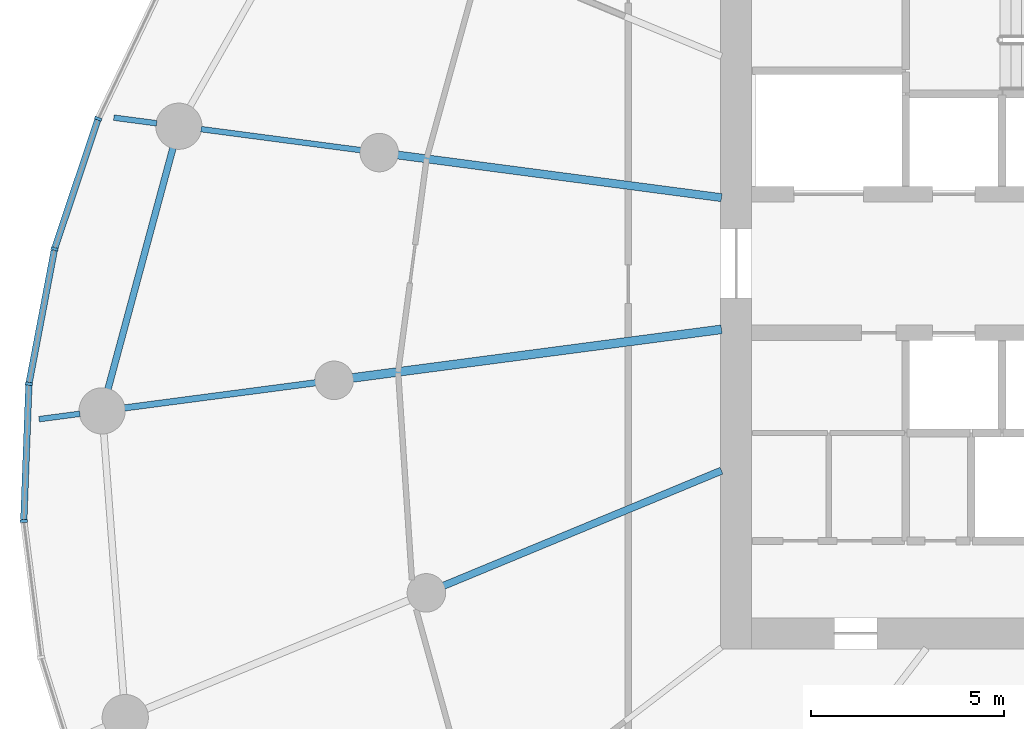
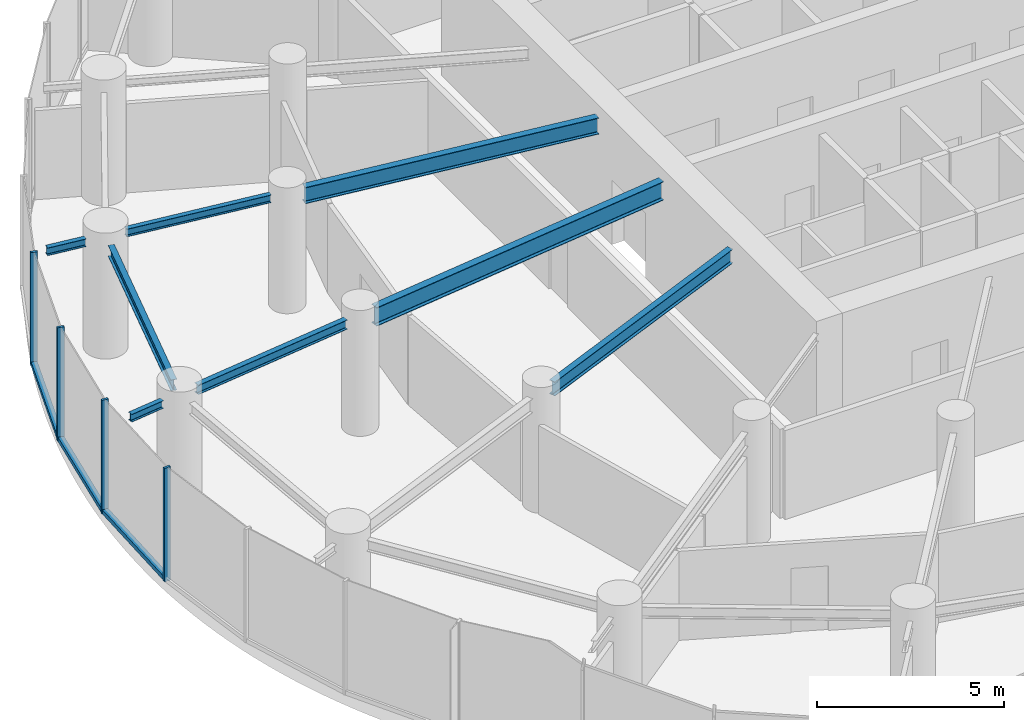
# One storey, part 3 of 17: 8 beams, 7 members, 1 element without a shape of its own.
"""IFC4 building model written with IfcOpenShell, lengths in metres."""

from ifc_helpers import new_model, si_unit, direction, frame, origin, origin_2d, place, context, subcontext, project, spatial, rectangle, i_section, extrude, source, transform, mapped, material, layer, layer_set, material_profile, profile_set, type_object, element, aggregate, save


model = new_model("IFC4")

# Units and contexts
model_context = context("Model", 3, precision=1e-05, world=origin(), true_north=direction((0.0, 1.0)))
body_context = subcontext(model_context, "Body", "Model", "MODEL_VIEW")
ifc_project = project(units=[si_unit("LENGTHUNIT", "METRE"), si_unit("AREAUNIT", "SQUARE_METRE"), si_unit("VOLUMEUNIT", "CUBIC_METRE"), si_unit("PLANEANGLEUNIT", "RADIAN"), si_unit("MASSUNIT", "GRAM", prefix="KILO")], contexts=[model_context])

# Site, building, storey
site_placement = place(None, origin())
site = spatial("IfcSite", under=ifc_project, at=site_placement, CompositionType="ELEMENT")
building_placement = place(site_placement, origin())
building = spatial("IfcBuilding", under=site, at=building_placement, Name="Spindrift Exchange Tower", CompositionType="ELEMENT")
storey_placement = place(building_placement, frame((0.0, 0.0, 112.60009765625)))
storey = spatial("IfcBuildingStorey", under=building, at=storey_placement, Name="L26", CompositionType="ELEMENT", Elevation=112.60009765625)

# Beams
ifc_material_1 = material(Name="Steel Grade 300", Category="steel")
ifc_material_profile_1 = material_profile(ifc_material_1, i_section(OverallWidth=0.22802734375, OverallDepth=0.60693359375, WebThickness=0.01123046875, FlangeThickness=0.017333984375, FilletRadius=0.013916015625, at=origin_2d()), Name="610UB113")
ifc_profile_set_1 = profile_set([ifc_material_profile_1], Name="Steel Grade 300")
beam_type_1 = type_object("IfcBeamType", Name="Floor Beam 610UB113 Steel Grade 300", PredefinedType="BEAM", material=ifc_profile_set_1)
shared_shape_1 = source(origin(), body_context, "Body", "SweptSolid", [
    extrude(i_section(OverallWidth=0.22802734375, OverallDepth=0.60693359375, WebThickness=0.01123046875, FlangeThickness=0.017333984375, FilletRadius=0.013916015625, at=origin_2d()), origin(), (0.0, 0.0, 1.0), 9.660400390625),
])
beam_1_placement = place(storey_placement, frame((39.019775390625, 46.291015625, 3.396484375), z_axis=(-0.99144767089, -0.130504850054, 0.0), x_axis=(0.130504850054, -0.99144767089, 0.0)))
element("IfcBeam", 1, at=beam_1_placement, inside=storey, type_object=beam_type_1, Name="L26 radial beam R13A", PredefinedType="BEAM", context=body_context, shape_type="MappedRepresentation", body=[
    mapped(shared_shape_1, transform((0.0, 0.0, 0.0), scale=1.0)),
])
ifc_material_profile_2 = material_profile(ifc_material_1, i_section(OverallWidth=0.18994140625, OverallDepth=0.45703125, WebThickness=0.009033203125, FlangeThickness=0.014404296875, FilletRadius=0.013916015625, at=origin_2d()), Name="460UB74.6")
ifc_profile_set_2 = profile_set([ifc_material_profile_2], Name="Steel Grade 300")
beam_type_2 = type_object("IfcBeamType", Name="Floor Beam 460UB74.6 Steel Grade 300", PredefinedType="BEAM", material=ifc_profile_set_2)
shared_shape_2 = source(origin(), body_context, "Body", "SweptSolid", [
    extrude(i_section(OverallWidth=0.18994140625, OverallDepth=0.45703125, WebThickness=0.009033203125, FlangeThickness=0.014404296875, FilletRadius=0.013916015625, at=origin_2d()), origin(), (0.0, 0.0, 1.0), 7.808837890625),
])
beam_2_placement = place(storey_placement, frame((39.0185546875, 42.622802734375, 3.471435546875), z_axis=(-0.92387965154, -0.382683145003, 0.0), x_axis=(0.382683145003, -0.92387965154, 0.0)))
element("IfcBeam", 2, at=beam_2_placement, inside=storey, type_object=beam_type_2, Name="L26 radial beam R14A", PredefinedType="BEAM", context=body_context, shape_type="MappedRepresentation", body=[
    mapped(shared_shape_2, transform((0.0, 0.0, 0.0), scale=1.0)),
])
ifc_material_profile_3 = material_profile(ifc_material_1, i_section(OverallWidth=0.208984375, OverallDepth=0.532958984375, WebThickness=0.01025390625, FlangeThickness=0.015625, FilletRadius=0.013916015625, at=origin_2d()), Name="530UB92.4")
ifc_profile_set_3 = profile_set([ifc_material_profile_3], Name="Steel Grade 300")
beam_type_3 = type_object("IfcBeamType", Name="Floor Beam 530UB92.4 Steel Grade 300", PredefinedType="BEAM", material=ifc_profile_set_3)
shared_shape_3 = source(origin(), body_context, "Body", "SweptSolid", [
    extrude(i_section(OverallWidth=0.208984375, OverallDepth=0.532958984375, WebThickness=0.01025390625, FlangeThickness=0.015625, FilletRadius=0.013916015625, at=origin_2d()), origin(), (0.0, 0.0, 1.0), 8.4794921875),
])
beam_3_placement = place(storey_placement, frame((39.019775390625, 49.708984375, 3.433349609375), z_axis=(-0.991446551951, 0.13051335037, 0.0), x_axis=(-0.13051335037, -0.991446551951, 0.0)))
element("IfcBeam", 3, at=beam_3_placement, inside=storey, type_object=beam_type_3, Name="L26 radial beam R12A", PredefinedType="BEAM", context=body_context, shape_type="MappedRepresentation", body=[
    mapped(shared_shape_3, transform((0.0, 0.0, 0.0), scale=1.0)),
])
ifc_material_profile_4 = material_profile(ifc_material_1, i_section(OverallWidth=0.1650390625, OverallDepth=0.303955078125, WebThickness=0.006103515625, FlangeThickness=0.01025390625, FilletRadius=0.011474609375, at=origin_2d()), Name="310UB40.4")
ifc_profile_set_4 = profile_set([ifc_material_profile_4], Name="Steel Grade 300")
beam_type_4 = type_object("IfcBeamType", Name="Floor Beam 310UB40.4 Steel Grade 300", PredefinedType="BEAM", material=ifc_profile_set_4)
shared_shape_4 = source(origin(), body_context, "Body", "SweptSolid", [
    extrude(i_section(OverallWidth=0.1650390625, OverallDepth=0.303955078125, WebThickness=0.006103515625, FlangeThickness=0.01025390625, FilletRadius=0.011474609375, at=origin_2d()), origin(), (0.0, 0.0, 1.0), 5.014404296875),
])
beam_4_placement = place(storey_placement, frame((28.490234375, 44.90478515625, 3.5478515625), z_axis=(-0.99145015202, -0.13048599948, 0.0), x_axis=(0.13048599948, -0.99145015202, 0.0)))
element("IfcBeam", 4, at=beam_4_placement, inside=storey, type_object=beam_type_4, Name="L26 radial beam R13B", PredefinedType="BEAM", context=body_context, shape_type="MappedRepresentation", body=[
    mapped(shared_shape_4, transform((0.0, 0.0, 0.0), scale=1.0)),
])
ifc_material_profile_5 = material_profile(ifc_material_1, i_section(OverallWidth=0.14599609375, OverallDepth=0.251953125, WebThickness=0.006103515625, FlangeThickness=0.008544921875, FilletRadius=0.011962890625, at=origin_2d()), Name="250UB31.4")
ifc_profile_set_5 = profile_set([ifc_material_profile_5], Name="Steel Grade 300")
beam_type_5 = type_object("IfcBeamType", Name="Floor Beam 250UB31.4 Steel Grade 300", PredefinedType="BEAM", material=ifc_profile_set_5)
shared_shape_5 = source(origin(), body_context, "Body", "SweptSolid", [
    extrude(i_section(OverallWidth=0.14599609375, OverallDepth=0.251953125, WebThickness=0.006103515625, FlangeThickness=0.008544921875, FilletRadius=0.011962890625, at=origin_2d()), origin(), (0.0, 0.0, 1.0), 4.186279296875),
])
beam_5_placement = place(storey_placement, frame((29.660888671875, 50.94091796875, 3.573974609375), z_axis=(-0.991445559167, 0.130520891848, 0.0), x_axis=(-0.130520891848, -0.991445559167, 0.0)))
element("IfcBeam", 5, at=beam_5_placement, inside=storey, type_object=beam_type_5, Name="L26 radial beam R12B", PredefinedType="BEAM", context=body_context, shape_type="MappedRepresentation", body=[
    mapped(shared_shape_5, transform((0.0, 0.0, 0.0), scale=1.0)),
])
ifc_material_profile_6 = material_profile(ifc_material_1, i_section(OverallWidth=0.172119140625, OverallDepth=0.35888671875, WebThickness=0.008056640625, FlangeThickness=0.012939453125, FilletRadius=0.013916015625, at=origin_2d()), Name="360UB56.7")
ifc_profile_set_6 = profile_set([ifc_material_profile_6], Name="Steel Grade 300")
beam_type_6 = type_object("IfcBeamType", Name="Edge Beam 360UB56.7 Steel Grade 300", PredefinedType="SPANDREL", material=ifc_profile_set_6)
shared_shape_6 = source(origin(), body_context, "Body", "SweptSolid", [
    extrude(i_section(OverallWidth=0.172119140625, OverallDepth=0.35888671875, WebThickness=0.008056640625, FlangeThickness=0.012939453125, FilletRadius=0.013916015625, at=origin_2d()), origin(), (0.0, 0.0, 1.0), 6.4921875),
])
beam_6_placement = place(storey_placement, frame((24.784423828125, 51.003173828125, 3.5205078125), z_axis=(-0.260262058381, -0.965538016324, 0.0), x_axis=(0.965538016324, -0.260262058381, 0.0)))
element("IfcBeam", 6, at=beam_6_placement, inside=storey, type_object=beam_type_6, Name="L26 edge beam E12", PredefinedType="SPANDREL", context=body_context, shape_type="MappedRepresentation", body=[
    mapped(shared_shape_6, transform((0.0, 0.0, 0.0), scale=1.0)),
])
ifc_material_profile_7 = material_profile(ifc_material_1, i_section(OverallWidth=0.14599609375, OverallDepth=0.251953125, WebThickness=0.006103515625, FlangeThickness=0.008544921875, FilletRadius=0.011962890625, at=origin_2d()), Name="250UB31.4")
ifc_profile_set_7 = profile_set([ifc_material_profile_7], Name="Steel Grade 300")
beam_type_7 = type_object("IfcBeamType", Name="Cantilever Beam 250UB31.4 Steel Grade 300", PredefinedType="BEAM", material=ifc_profile_set_7)
shared_shape_7 = source(origin(), body_context, "Body", "SweptSolid", [
    extrude(i_section(OverallWidth=0.14599609375, OverallDepth=0.251953125, WebThickness=0.006103515625, FlangeThickness=0.008544921875, FilletRadius=0.011962890625, at=origin_2d()), origin(), (0.0, 0.0, 1.0), 1.071533203125),
])
beam_7_placement = place(storey_placement, frame((22.36865234375, 44.09912109375, 3.573974609375), z_axis=(-0.991410032, -0.130790475378, 0.0), x_axis=(0.130790475378, -0.991410032, 0.0)))
element("IfcBeam", 7, at=beam_7_placement, inside=storey, type_object=beam_type_7, Name="L26 cantilever beam R13T", PredefinedType="BEAM", context=body_context, shape_type="MappedRepresentation", body=[
    mapped(shared_shape_7, transform((0.0, 0.0, 0.0), scale=1.0)),
])
shared_shape_8 = source(origin(), body_context, "Body", "SweptSolid", [
    extrude(i_section(OverallWidth=0.14599609375, OverallDepth=0.251953125, WebThickness=0.006103515625, FlangeThickness=0.008544921875, FilletRadius=0.011962890625, at=origin_2d()), origin(), (0.0, 0.0, 1.0), 1.121337890625),
])
beam_8_placement = place(storey_placement, frame((24.360595703125, 51.638916015625, 3.573974609375), z_axis=(-0.991460222686, 0.130409458364, 0.0), x_axis=(-0.130409458364, -0.991460222686, 0.0)))
element("IfcBeam", 8, at=beam_8_placement, inside=storey, type_object=beam_type_7, Name="L26 cantilever beam R12T", PredefinedType="BEAM", context=body_context, shape_type="MappedRepresentation", body=[
    mapped(shared_shape_8, transform((0.0, 0.0, 0.0), scale=1.0)),
])

# Curtain wall, members
ifc_material_2 = material(Name="Fritted laminated glass with bronze frame", Category="glass")
ifc_layer = layer(ifc_material_2, 0.18994140625)
ifc_layer_set = layer_set([ifc_layer], Name="ZONE 2 BRONZE FRITTED WALL")
curtain_wall_type = type_object("IfcCurtainWallType", Name="ZONE 2 BRONZE FRITTED WALL", PredefinedType="NOTDEFINED", material=ifc_layer_set)
curtain_wall_placement = place(storey_placement, origin())
curtain_wall = element("IfcCurtainWall", 9, at=curtain_wall_placement, inside=storey, type_object=curtain_wall_type, Name="L26 Zone 2 Bronze Fritted Wall run 4", PredefinedType="NOTDEFINED")
ifc_material_3 = material(Name="Bronze anodised aluminium", Category="aluminium")
ifc_material_profile_8 = material_profile(ifc_material_3, rectangle(XDim=0.074951171875, YDim=0.18994140625, at=origin_2d()), Name="ZONE 2 BRONZE FRITTED WALL MULLION 75X190")
ifc_profile_set_8 = profile_set([ifc_material_profile_8], Name="Bronze anodised aluminium")
member_type_1 = type_object("IfcMemberType", Name="ZONE 2 BRONZE FRITTED WALL MULLION 75X190", PredefinedType="MULLION", material=ifc_profile_set_8)
shared_shape_9 = source(origin(), body_context, "Body", "SweptSolid", [
    extrude(rectangle(XDim=0.074951171875, YDim=0.18994140625, at=origin_2d()), origin(), (0.0, 0.0, 1.0), 3.699951171875),
])
member_1_placement = place(storey_placement, frame((22.84130859375, 51.75830078125, 0.0), z_axis=(0.0, 0.0, 1.0), x_axis=(-0.37527004174, -0.926915527852, 0.0)))
member_1 = element("IfcMember", 10, at=member_1_placement, type_object=member_type_1, Name="L26 mullion CW-2.21", PredefinedType="MULLION", context=body_context, shape_type="MappedRepresentation", body=[
    mapped(shared_shape_9, transform((0.0, 0.0, 0.0), scale=1.0)),
])
member_2_placement = place(storey_placement, frame((21.708740234375, 48.377685546875, 0.0), z_axis=(0.0, 0.0, 1.0), x_axis=(-0.252691901407, -0.967546796265, 0.0)))
member_2 = element("IfcMember", 11, at=member_2_placement, type_object=member_type_1, Name="L26 mullion CW-2.22", PredefinedType="MULLION", context=body_context, shape_type="MappedRepresentation", body=[
    mapped(shared_shape_9, transform((0.0, 0.0, 0.0), scale=1.0)),
])
member_3_placement = place(storey_placement, frame((21.043701171875, 44.87548828125, 0.0), z_axis=(0.0, 0.0, 1.0), x_axis=(-0.112430637061, -0.993659575433, 0.0)))
member_3 = element("IfcMember", 12, at=member_3_placement, type_object=member_type_1, Name="L26 mullion CW-2.23", PredefinedType="MULLION", context=body_context, shape_type="MappedRepresentation", body=[
    mapped(shared_shape_9, transform((0.0, 0.0, 0.0), scale=1.0)),
])
member_4_placement = place(storey_placement, frame((20.909423828125, 41.31396484375, 0.0), z_axis=(0.0, 0.0, 1.0), x_axis=(0.044422541088, -0.999012831671, 0.0)))
member_4 = element("IfcMember", 13, at=member_4_placement, type_object=member_type_1, Name="L26 mullion CW-2.24", PredefinedType="MULLION", context=body_context, shape_type="MappedRepresentation", body=[
    mapped(shared_shape_9, transform((0.0, 0.0, 0.0), scale=1.0)),
])
ifc_material_profile_9 = material_profile(ifc_material_3, rectangle(XDim=0.169921875, YDim=0.139892578125, at=origin_2d()), Name="ZONE 2 BRONZE FRITTED WALL TRANSOM 170X140")
ifc_profile_set_9 = profile_set([ifc_material_profile_9], Name="Bronze anodised aluminium")
member_type_2 = type_object("IfcMemberType", Name="ZONE 2 BRONZE FRITTED WALL TRANSOM 170X140", PredefinedType="USERDEFINED", material=ifc_profile_set_9)
shared_shape_10 = source(origin(), body_context, "Body", "SweptSolid", [
    extrude(rectangle(XDim=0.169921875, YDim=0.139892578125, at=origin_2d()), origin(), (0.0, 0.0, 1.0), 3.489013671875),
])
member_5_placement = place(storey_placement, frame((21.042236328125, 44.838134765625, 0.06982421875), z_axis=(-0.037645727737, -0.999291148356, 0.0), x_axis=(0.999291148356, -0.037645727737, 0.0)))
member_5 = element("IfcMember", 14, at=member_5_placement, type_object=member_type_2, Name="L26 transom CW-2.23", ObjectType="TRANSOM", PredefinedType="USERDEFINED", context=body_context, shape_type="MappedRepresentation", body=[
    mapped(shared_shape_10, transform((0.0, 0.0, 0.0), scale=1.0)),
])
shared_shape_11 = source(origin(), body_context, "Body", "SweptSolid", [
    extrude(rectangle(XDim=0.169921875, YDim=0.139892578125, at=origin_2d()), origin(), (0.0, 0.0, 1.0), 3.48974609375),
])
member_6_placement = place(storey_placement, frame((21.70166015625, 48.3408203125, 0.06982421875), z_axis=(-0.186514119456, -0.98245228039, 0.0), x_axis=(0.98245228039, -0.186514119456, 0.0)))
member_6 = element("IfcMember", 15, at=member_6_placement, type_object=member_type_2, Name="L26 transom CW-2.22", ObjectType="TRANSOM", PredefinedType="USERDEFINED", context=body_context, shape_type="MappedRepresentation", body=[
    mapped(shared_shape_11, transform((0.0, 0.0, 0.0), scale=1.0)),
])
shared_shape_12 = source(origin(), body_context, "Body", "SweptSolid", [
    extrude(rectangle(XDim=0.169921875, YDim=0.139892578125, at=origin_2d()), origin(), (0.0, 0.0, 1.0), 3.489990234375),
])
member_7_placement = place(storey_placement, frame((22.829345703125, 51.72265625, 0.06982421875), z_axis=(-0.317654439871, -0.948206547557, 0.0), x_axis=(0.948206547557, -0.317654439871, 0.0)))
member_7 = element("IfcMember", 16, at=member_7_placement, type_object=member_type_2, Name="L26 transom CW-2.21", ObjectType="TRANSOM", PredefinedType="USERDEFINED", context=body_context, shape_type="MappedRepresentation", body=[
    mapped(shared_shape_12, transform((0.0, 0.0, 0.0), scale=1.0)),
])
aggregate(curtain_wall, [member_1, member_7, member_2, member_6, member_3, member_5, member_4])

save(model, "model.ifc")
